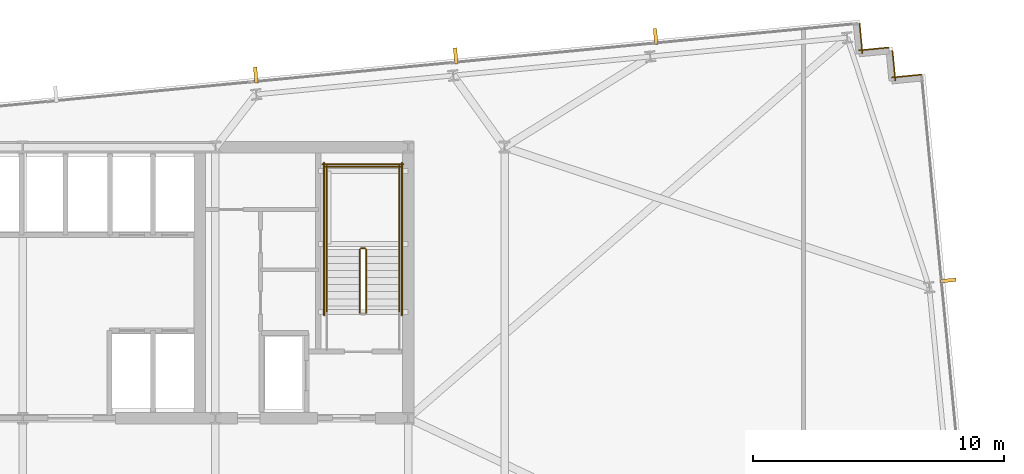
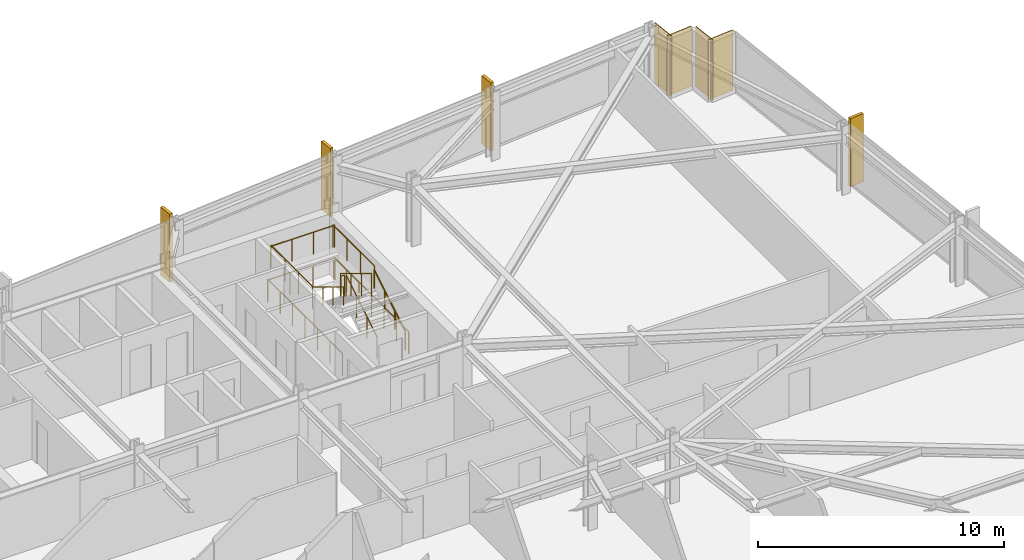
# One storey, part 32 of 32: 11 railings, 4 coverings, 4 shading devices.
"""IFC4 building model written with IfcOpenShell, lengths in metres."""

from ifc_helpers import new_model, si_unit, direction, frame, frame_2d, origin, origin_2d, place, context, subcontext, project, spatial, rectangle, circle, extrude, material, layer, layer_set, type_object, element, save


model = new_model("IFC4")

# Units and contexts
model_context = context("Model", 3, precision=1e-05, world=origin(), true_north=direction((0.0, 1.0)))
body_context = subcontext(model_context, "Body", "Model", "MODEL_VIEW")
ifc_project = project(units=[si_unit("LENGTHUNIT", "METRE"), si_unit("AREAUNIT", "SQUARE_METRE"), si_unit("VOLUMEUNIT", "CUBIC_METRE"), si_unit("PLANEANGLEUNIT", "RADIAN"), si_unit("MASSUNIT", "GRAM", prefix="KILO")], contexts=[model_context])

# Site, building, storey
site_placement = place(None, origin())
site = spatial("IfcSite", under=ifc_project, at=site_placement, CompositionType="ELEMENT")
building_placement = place(site_placement, origin())
building = spatial("IfcBuilding", under=site, at=building_placement, Name="Yelkora Congress Tower", CompositionType="ELEMENT")
storey_placement = place(building_placement, frame((0.0, 0.0, 133.89990234375)))
storey = spatial("IfcBuildingStorey", under=building, at=storey_placement, Name="L36", CompositionType="ELEMENT", Elevation=133.89990234375)

# Coverings
ifc_material_1 = material(Name="Anatolian bush-hammered limestone", Category="masonry")
ifc_layer_1 = layer(ifc_material_1, 0.0400390625)
ifc_layer_set_1 = layer_set([ifc_layer_1], Name="Anatolian bush-hammered limestone")
covering_type = type_object("IfcCoveringType", Name="COV-CLAD-SPANDREL-40", PredefinedType="CLADDING", material=ifc_layer_set_1)
for number, where, z_axis, x_axis, name in (
    (1, (71.74609375, 51.1279296875, 0.0), (0.0, 0.0, 1.0), (0.095817067274, -0.995398960025, 0.0), "L36 Anatolian Limestone Cladding EW-L36-SR11"),
    (2, (71.7138671875, 50.0546875, 0.0), (0.0, 0.0, 1.0), (0.995379537303, 0.096018626938, 0.0), "L36 Anatolian Limestone Cladding EW-L36-SR12"),
):
    element("IfcCovering", number, at=place(storey_placement, frame(where, z_axis=z_axis, x_axis=x_axis)), inside=storey, type_object=covering_type, Name=name, PredefinedType="CLADDING", context=body_context, shape_type="SweptSolid", body=[
        extrude(rectangle(XDim=1.2001953125, YDim=0.0400390625, at=frame_2d((0.60009765625, 0.0))), origin(), (0.0, 0.0, 1.0), 2.97998046875),
    ])
covering_1_placement = place(storey_placement, frame((73.0556640625, 50.04833984375, 0.0), z_axis=(0.0, 0.0, 1.0), x_axis=(0.095836473879, -0.995397091755, 0.0)))
element("IfcCovering", 3, at=covering_1_placement, inside=storey, type_object=covering_type, Name="L36 Anatolian Limestone Cladding EW-L36-SR13", PredefinedType="CLADDING", context=body_context, shape_type="SweptSolid", body=[
    extrude(rectangle(XDim=1.199951171875, YDim=0.0400390625, at=frame_2d((0.60009765625, 0.0))), origin(), (0.0, 0.0, 1.0), 2.97998046875),
])
covering_2_placement = place(storey_placement, frame((73.0234375, 48.975341796875, 0.0), z_axis=(0.0, 0.0, 1.0), x_axis=(0.995398960025, 0.095817067274, 0.0)))
element("IfcCovering", 4, at=covering_2_placement, inside=storey, type_object=covering_type, Name="L36 Anatolian Limestone Cladding EW-L36-SR14", PredefinedType="CLADDING", context=body_context, shape_type="SweptSolid", body=[
    extrude(rectangle(XDim=1.2001953125, YDim=0.0400390625, at=frame_2d((0.60009765625, 0.0))), origin(), (0.0, 0.0, 1.0), 2.97998046875),
])

# Railings
ifc_material_2 = material(Name="Painted galvanised steel stair well guard with vertical infill", Category="steel")
ifc_layer_2 = layer(ifc_material_2, 0.06005859375)
ifc_layer_set_2 = layer_set([ifc_layer_2], Name="Painted galvanised steel stair well guard with vertical infill")
railing_type_1 = type_object("IfcRailingType", Name="RAIL-STAIR-GUARD-1120", PredefinedType="GUARDRAIL", material=ifc_layer_set_2)
railing_1_placement = place(storey_placement, frame((52.090087890625, 39.60009765625, 0.170166015625)))
element("IfcRailing", 5, at=railing_1_placement, inside=storey, type_object=railing_type_1, Name="ST-02 L36 Stair Well Guardrail 1", PredefinedType="GUARDRAIL", context=body_context, shape_type="SweptSolid", body=[
    extrude(circle(Radius=0.02392578125, at=origin_2d()), frame((0.0, 0.0, 1.09619140625), z_axis=(0.0, 0.85478489116, 0.518982456201), x_axis=(-1.0, 0.0, 0.0)), (0.0, 0.0, 1.0), 2.9482421875),
    extrude(circle(Radius=0.02099609375, at=origin_2d()), origin(), (0.0, 0.0, 1.0), 1.072021484375),
    extrude(circle(Radius=0.02099609375, at=origin_2d()), frame((0.0, 0.840087890625, 0.510009765625)), (0.0, 0.0, 1.0), 1.072021484375),
    extrude(circle(Radius=0.02099609375, at=origin_2d()), frame((0.0, 1.679931640625, 1.02001953125)), (0.0, 0.0, 1.0), 1.072021484375),
    extrude(circle(Radius=0.02099609375, at=origin_2d()), frame((0.0, 2.52001953125, 1.530029296875)), (0.0, 0.0, 1.0), 1.072021484375),
])
railing_2_placement = place(storey_placement, frame((52.0400390625, 42.169921875, 1.7001953125)))
element("IfcRailing", 6, at=railing_2_placement, inside=storey, type_object=railing_type_1, Name="ST-02 L36 Stair Well Guardrail 2", PredefinedType="GUARDRAIL", context=body_context, shape_type="SweptSolid", body=[
    extrude(circle(Radius=0.02392578125, at=origin_2d()), frame((0.0, 0.0, 1.09619140625), z_axis=(-1.0, 0.0, 0.0), x_axis=(0.0, -1.0, 0.0)), (0.0, 0.0, 1.0), 0.16015625),
    extrude(circle(Radius=0.02099609375, at=origin_2d()), origin(), (0.0, 0.0, 1.0), 1.072021484375),
    extrude(circle(Radius=0.02099609375, at=origin_2d()), frame((-0.16015625, 0.0, 0.0)), (0.0, 0.0, 1.0), 1.072021484375),
])
for number, where, name in (
    (7, (53.409912109375, 42.1201171875, 1.7001953125), "ST-02 L36 Stair Well Guardrail 3"),
    (8, (50.510009765625, 42.1201171875, 1.7001953125), "ST-02 L36 Stair Well Guardrail 4"),
):
    element("IfcRailing", number, at=place(storey_placement, frame(where)), inside=storey, type_object=railing_type_1, Name=name, PredefinedType="GUARDRAIL", context=body_context, shape_type="SweptSolid", body=[
        extrude(circle(Radius=0.02392578125, at=origin_2d()), frame((0.0, 0.0, 1.09619140625), z_axis=(0.0, 1.0, 0.0), x_axis=(-1.0, 0.0, 0.0)), (0.0, 0.0, 1.0), 3.349853515625),
        extrude(circle(Radius=0.02099609375, at=origin_2d()), origin(), (0.0, 0.0, 1.0), 1.072021484375),
        extrude(circle(Radius=0.02099609375, at=origin_2d()), frame((0.0, 1.11669921875, 0.0)), (0.0, 0.0, 1.0), 1.072021484375),
        extrude(circle(Radius=0.02099609375, at=origin_2d()), frame((0.0, 2.233154296875, 0.0)), (0.0, 0.0, 1.0), 1.072021484375),
        extrude(circle(Radius=0.02099609375, at=origin_2d()), frame((0.0, 3.349853515625, 0.0)), (0.0, 0.0, 1.0), 1.072021484375),
    ])
railing_3_placement = place(storey_placement, frame((53.4599609375, 45.419921875, 1.7001953125)))
element("IfcRailing", 9, at=railing_3_placement, inside=storey, type_object=railing_type_1, Name="ST-02 L36 Stair Well Guardrail 5", PredefinedType="GUARDRAIL", context=body_context, shape_type="SweptSolid", body=[
    extrude(circle(Radius=0.02392578125, at=origin_2d()), frame((0.0, 0.0, 1.09619140625), z_axis=(-1.0, 0.0, 0.0), x_axis=(0.0, -1.0, 0.0)), (0.0, 0.0, 1.0), 3.0),
    extrude(circle(Radius=0.02099609375, at=origin_2d()), origin(), (0.0, 0.0, 1.0), 1.072021484375),
    extrude(circle(Radius=0.02099609375, at=origin_2d()), frame((-1.0, 0.0, 0.0)), (0.0, 0.0, 1.0), 1.072021484375),
    extrude(circle(Radius=0.02099609375, at=origin_2d()), frame((-2.0, 0.0, 0.0)), (0.0, 0.0, 1.0), 1.072021484375),
    extrude(circle(Radius=0.02099609375, at=origin_2d()), frame((-3.0, 0.0, 0.0)), (0.0, 0.0, 1.0), 1.072021484375),
])
railing_4_placement = place(storey_placement, frame((51.830078125, 42.1201171875, 1.8701171875)))
element("IfcRailing", 10, at=railing_4_placement, inside=storey, type_object=railing_type_1, Name="ST-02 L36 Stair Well Guardrail 6", PredefinedType="GUARDRAIL", context=body_context, shape_type="SweptSolid", body=[
    extrude(circle(Radius=0.02392578125, at=origin_2d()), frame((0.0, 0.0, 1.09619140625), z_axis=(0.0, -0.85478489116, 0.518982456201), x_axis=(1.0, 0.0, 0.0)), (0.0, 0.0, 1.0), 2.9482421875),
    extrude(circle(Radius=0.02099609375, at=origin_2d()), origin(), (0.0, 0.0, 1.0), 1.072021484375),
    extrude(circle(Radius=0.02099609375, at=origin_2d()), frame((0.0, -0.840087890625, 0.510009765625)), (0.0, 0.0, 1.0), 1.072021484375),
    extrude(circle(Radius=0.02099609375, at=origin_2d()), frame((0.0, -1.679931640625, 1.02001953125)), (0.0, 0.0, 1.0), 1.072021484375),
    extrude(circle(Radius=0.02099609375, at=origin_2d()), frame((0.0, -2.52001953125, 1.530029296875)), (0.0, 0.0, 1.0), 1.072021484375),
])
for number, where, name in (
    (11, (53.510009765625, 39.5, 0.0), "ST-02 L36 Stair Well Guardrail 10"),
    (12, (50.409912109375, 39.5, 0.0), "ST-02 L36 Stair Well Guardrail 11"),
):
    element("IfcRailing", number, at=place(storey_placement, frame(where)), inside=storey, type_object=railing_type_1, Name=name, PredefinedType="GUARDRAIL", context=body_context, shape_type="SweptSolid", body=[
        extrude(circle(Radius=0.02392578125, at=origin_2d()), frame((0.0, 0.0, 1.09619140625), z_axis=(0.0, 1.0, 0.0), x_axis=(-1.0, 0.0, 0.0)), (0.0, 0.0, 1.0), 6.070068359375),
        extrude(circle(Radius=0.02099609375, at=origin_2d()), origin(), (0.0, 0.0, 1.0), 1.072021484375),
        extrude(circle(Radius=0.02099609375, at=origin_2d()), frame((0.0, 1.01171875, 0.0)), (0.0, 0.0, 1.0), 1.072021484375),
        extrude(circle(Radius=0.02099609375, at=origin_2d()), frame((0.0, 2.0234375, 0.0)), (0.0, 0.0, 1.0), 1.072021484375),
        extrude(circle(Radius=0.02099609375, at=origin_2d()), frame((0.0, 3.03515625, 0.0)), (0.0, 0.0, 1.0), 1.072021484375),
        extrude(circle(Radius=0.02099609375, at=origin_2d()), frame((0.0, 4.046630859375, 0.0)), (0.0, 0.0, 1.0), 1.072021484375),
        extrude(circle(Radius=0.02099609375, at=origin_2d()), frame((0.0, 5.058349609375, 0.0)), (0.0, 0.0, 1.0), 1.072021484375),
        extrude(circle(Radius=0.02099609375, at=origin_2d()), frame((0.0, 6.070068359375, 0.0)), (0.0, 0.0, 1.0), 1.072021484375),
    ])
railing_5_placement = place(storey_placement, frame((53.56005859375, 45.52001953125, 0.0)))
element("IfcRailing", 13, at=railing_5_placement, inside=storey, type_object=railing_type_1, Name="ST-02 L36 Stair Well Guardrail 12", PredefinedType="GUARDRAIL", context=body_context, shape_type="SweptSolid", body=[
    extrude(circle(Radius=0.02392578125, at=origin_2d()), frame((0.0, 0.0, 1.09619140625), z_axis=(-1.0, 0.0, 0.0), x_axis=(0.0, -1.0, 0.0)), (0.0, 0.0, 1.0), 3.199951171875),
    extrude(circle(Radius=0.02099609375, at=origin_2d()), origin(), (0.0, 0.0, 1.0), 1.072021484375),
    extrude(circle(Radius=0.02099609375, at=origin_2d()), frame((-1.066650390625, 0.0, 0.0)), (0.0, 0.0, 1.0), 1.072021484375),
    extrude(circle(Radius=0.02099609375, at=origin_2d()), frame((-2.13330078125, 0.0, 0.0)), (0.0, 0.0, 1.0), 1.072021484375),
    extrude(circle(Radius=0.02099609375, at=origin_2d()), frame((-3.199951171875, 0.0, 0.0)), (0.0, 0.0, 1.0), 1.072021484375),
])
ifc_material_3 = material(Name="Brushed stainless steel tubular handrail", Category="steel")
ifc_layer_3 = layer(ifc_material_3, 0.050048828125)
ifc_layer_set_3 = layer_set([ifc_layer_3], Name="Brushed stainless steel tubular handrail")
railing_type_2 = type_object("IfcRailingType", Name="RAIL-STAIR-HAND-920", PredefinedType="HANDRAIL", material=ifc_layer_set_3)
railing_6_placement = place(storey_placement, frame((53.409912109375, 39.60009765625, 0.170166015625)))
element("IfcRailing", 14, at=railing_6_placement, inside=storey, type_object=railing_type_2, Name="ST-02 L36 Pitch Handrail 1", PredefinedType="HANDRAIL", context=body_context, shape_type="SweptSolid", body=[
    extrude(circle(Radius=0.02392578125, at=origin_2d()), frame((0.0, 0.0, 0.89599609375), z_axis=(0.0, 0.85478489116, 0.518982456201), x_axis=(-1.0, 0.0, 0.0)), (0.0, 0.0, 1.0), 2.9482421875),
    extrude(circle(Radius=0.02099609375, at=origin_2d()), origin(), (0.0, 0.0, 1.0), 0.871826171875),
    extrude(circle(Radius=0.02099609375, at=origin_2d()), frame((0.0, 0.840087890625, 0.510009765625)), (0.0, 0.0, 1.0), 0.871826171875),
    extrude(circle(Radius=0.02099609375, at=origin_2d()), frame((0.0, 1.679931640625, 1.02001953125)), (0.0, 0.0, 1.0), 0.871826171875),
    extrude(circle(Radius=0.02099609375, at=origin_2d()), frame((0.0, 2.52001953125, 1.530029296875)), (0.0, 0.0, 1.0), 0.871826171875),
])
railing_7_placement = place(storey_placement, frame((50.510009765625, 42.1201171875, 1.8701171875)))
element("IfcRailing", 15, at=railing_7_placement, inside=storey, type_object=railing_type_2, Name="ST-02 L36 Pitch Handrail 2", PredefinedType="HANDRAIL", context=body_context, shape_type="SweptSolid", body=[
    extrude(circle(Radius=0.02392578125, at=origin_2d()), frame((0.0, 0.0, 0.89599609375), z_axis=(0.0, -0.85478489116, 0.518982456201), x_axis=(1.0, 0.0, 0.0)), (0.0, 0.0, 1.0), 2.9482421875),
    extrude(circle(Radius=0.02099609375, at=origin_2d()), origin(), (0.0, 0.0, 1.0), 0.871826171875),
    extrude(circle(Radius=0.02099609375, at=origin_2d()), frame((0.0, -0.840087890625, 0.510009765625)), (0.0, 0.0, 1.0), 0.871826171875),
    extrude(circle(Radius=0.02099609375, at=origin_2d()), frame((0.0, -1.679931640625, 1.02001953125)), (0.0, 0.0, 1.0), 0.871826171875),
    extrude(circle(Radius=0.02099609375, at=origin_2d()), frame((0.0, -2.52001953125, 1.530029296875)), (0.0, 0.0, 1.0), 0.871826171875),
])

# Shading devices
ifc_material_4 = material(Name="Champagne anodised aluminium", Category="aluminium")
ifc_layer_4 = layer(ifc_material_4, 3.39990234375)
ifc_layer_set_4 = layer_set([ifc_layer_4], Name="Champagne anodised aluminium")
shading_device_type = type_object("IfcShadingDeviceType", Name="SHD-FIN-ALU-640", PredefinedType="USERDEFINED", material=ifc_layer_set_4)
for number, where, z_axis, x_axis, name in (
    (16, (47.68896484375, 49.072509765625, -0.02978515625), (0.0, 0.0, 1.0), (0.995396198367, 0.09584575252, 0.0), "L36 Vertical Anodised Solar Fin 10-4"),
    (17, (55.65478515625, 49.839599609375, -0.02978515625), (0.0, 0.0, 1.0), (0.995396198367, 0.09584575252, 0.0), "L36 Vertical Anodised Solar Fin 10-5"),
    (18, (63.620849609375, 50.606689453125, -0.02978515625), (0.0, 0.0, 1.0), (0.995396198367, 0.09584575252, 0.0), "L36 Vertical Anodised Solar Fin 10-6"),
    (19, (75.268798828125, 40.888427734375, -0.02978515625), (0.0, 0.0, 1.0), (0.09584575252, -0.995396198367, 0.0), "L36 Vertical Anodised Solar Fin 15-1"),
):
    element("IfcShadingDevice", number, at=place(storey_placement, frame(where, z_axis=z_axis, x_axis=x_axis)), inside=storey, type_object=shading_device_type, Name=name, ObjectType="FIN", PredefinedType="USERDEFINED", context=body_context, shape_type="SweptSolid", body=[
        extrude(rectangle(XDim=0.139892578125, YDim=0.639892578125, at=origin_2d()), origin(), (0.0, 0.0, 1.0), 3.3798828125),
    ])

save(model, "model.ifc")
